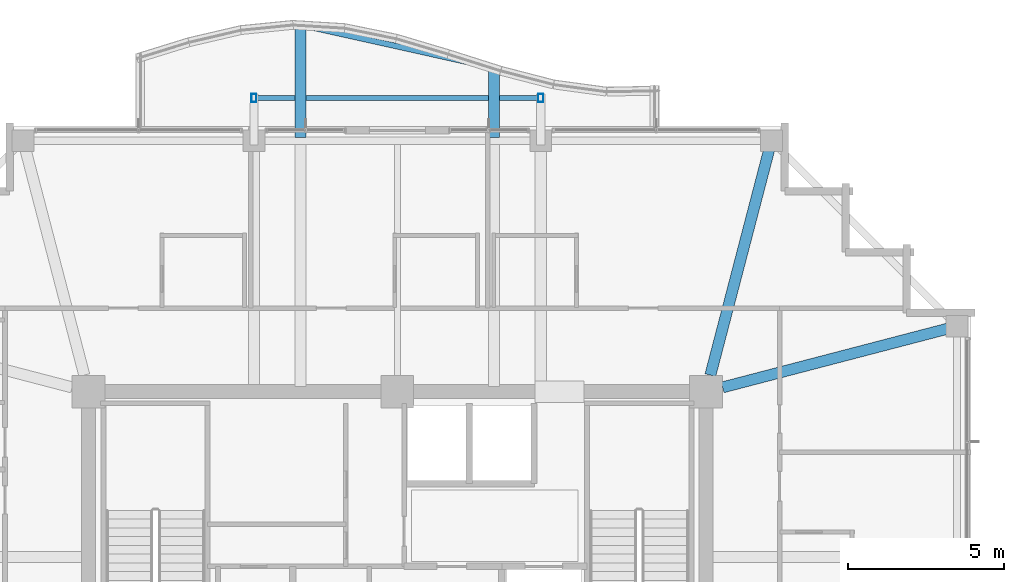
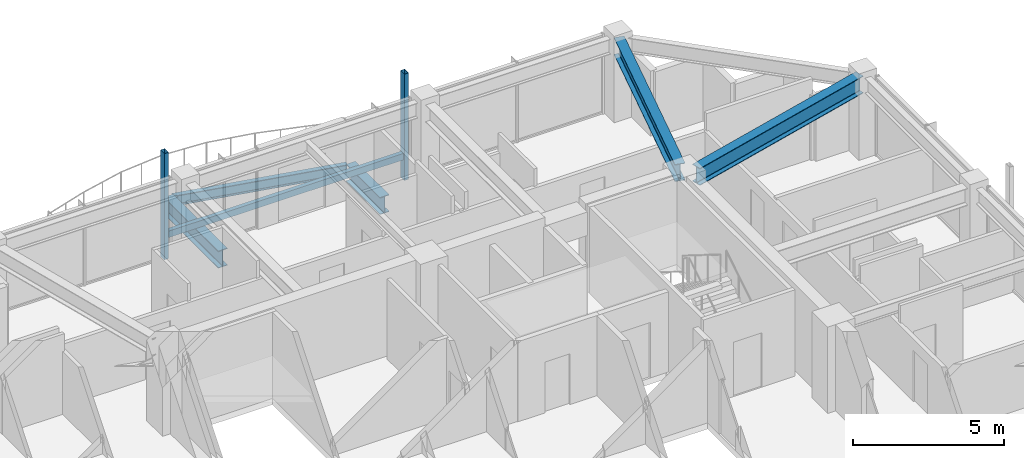
# One storey, part 19 of 34: 5 beams, 3 members.
"""IFC4 building model written with IfcOpenShell, lengths in metres."""

import ifcopenshell
import ifcopenshell.guid

model = None  # the IFC model being written
_history = None  # IfcOwnerHistory: only IFC2X3 demands one
_inside = {}  # id of a spatial element -> (the spatial element, [elements in it])
_under = {}  # id of a project, library or spatial element -> (it, [spatial elements below it])
_declared = {}  # id of a project -> (the project, [libraries it declares])
_typed = {}  # id of a type object -> (the type object, [elements of that type])
_made_of = {}  # id of a material, layer set ... -> (it, [elements and type objects made of it])


def new_model(schema):
    """Start an empty IFC model of exactly this schema.

    Asked for "IFC4X3", IfcOpenShell would pick the latest addendum, in which some entities
    have other attributes; the version numbers below select the first issue.
    IFC2X3 requires an IfcOwnerHistory on every rooted entity: one is made here for all.
    """
    global model, _history
    if schema == "IFC4X3":
        model = ifcopenshell.file(schema_version=(4, 3, 0, 0))
    else:
        model = ifcopenshell.file(schema=schema)
    _inside.clear()
    _under.clear()
    _declared.clear()
    _typed.clear()
    _made_of.clear()
    _history = None
    if model.schema == "IFC2X3":
        org = make("IfcOrganization", Name="unknown")
        user = make(
            "IfcPersonAndOrganization",
            ThePerson=make("IfcPerson", FamilyName="unknown"),
            TheOrganization=org,
        )
        app = make(
            "IfcApplication",
            ApplicationDeveloper=org,
            Version="unknown",
            ApplicationFullName="unknown",
            ApplicationIdentifier="unknown",
        )
        _history = make(
            "IfcOwnerHistory",
            OwningUser=user,
            OwningApplication=app,
            ChangeAction="ADDED",
            CreationDate=0,
        )
    return model


def make(cls, **values):
    """One entity of the class cls with the attributes given. An attribute that is None is left unset."""
    return model.create_entity(
        cls, **{name: value for name, value in values.items() if value is not None}
    )


def rooted(cls, **values):
    """An entity with a GlobalId (a new one), such as an element, a storey or a relation."""
    return make(cls, GlobalId=ifcopenshell.guid.new(), OwnerHistory=_history, **values)


def si_unit(unit_type, name, prefix=None):
    """IfcSIUnit, for example si_unit("LENGTHUNIT", "METRE", prefix="MILLI")."""
    return make("IfcSIUnit", UnitType=unit_type, Prefix=prefix, Name=name)


def assignment(units):
    """IfcUnitAssignment: the units of a project."""
    return None if units is None else make("IfcUnitAssignment", Units=units)


def point(xyz):
    """IfcCartesianPoint."""
    return None if xyz is None else make("IfcCartesianPoint", Coordinates=xyz)


def direction(xyz):
    """IfcDirection."""
    return None if xyz is None else make("IfcDirection", DirectionRatios=xyz)


def frame(location, z_axis=None, x_axis=None):
    """IfcAxis2Placement3D, a coordinate frame: its origin and axes. An axis left out is left unset."""
    return make(
        "IfcAxis2Placement3D",
        Location=point(location),
        Axis=direction(z_axis),
        RefDirection=direction(x_axis),
    )


def frame_2d(location, x_axis=None):
    """IfcAxis2Placement2D, a coordinate frame in the plane: its origin and x axis."""
    return make(
        "IfcAxis2Placement2D", Location=point(location), RefDirection=direction(x_axis)
    )


def origin():
    """The frame at (0, 0, 0) with its axes left unset."""
    return frame((0.0, 0.0, 0.0))


def origin_2d():
    """The frame at (0, 0) in the plane with its x axis left unset."""
    return frame_2d((0.0, 0.0))


def place(relative_to, where):
    """IfcLocalPlacement: puts the frame where relative to a parent placement (None: the world)."""
    return make(
        "IfcLocalPlacement", PlacementRelTo=relative_to, RelativePlacement=where
    )


def context(
    kind, dimensions, precision=None, world=None, true_north=None, identifier=None
):
    """IfcGeometricRepresentationContext, for example the 3D "Model" context."""
    return make(
        "IfcGeometricRepresentationContext",
        ContextIdentifier=identifier,
        ContextType=kind,
        CoordinateSpaceDimension=dimensions,
        Precision=precision,
        WorldCoordinateSystem=world,
        TrueNorth=true_north,
    )


def subcontext(parent, identifier, kind, view, scale=None):
    """IfcGeometricRepresentationSubContext, for example "Body" below "Model"."""
    return make(
        "IfcGeometricRepresentationSubContext",
        ContextIdentifier=identifier,
        ContextType=kind,
        ParentContext=parent,
        TargetScale=scale,
        TargetView=view,
    )


def project(units=None, contexts=None):
    """IfcProject with its units and contexts."""
    return rooted(
        "IfcProject",
        Name="project",
        RepresentationContexts=contexts,
        UnitsInContext=assignment(units),
    )


def spatial(cls, under=None, at=None, **own):
    """A site, building, storey or space (cls), placed at a placement, below another one or the project."""
    s = rooted(cls, ObjectPlacement=at, **own)
    if under is not None:
        _under.setdefault(under.id(), (under, []))[1].append(s)
    return s


def profile(cls, at=None, kind="AREA", **sizes):
    """A parametric profile (cls). Its sizes go by their IFC names, for example OverallWidth=200.0."""
    return make(cls, ProfileType=kind, Position=at, **sizes)


def hollow_rectangle(**sizes):
    """IfcRectangleHollowProfileDef."""
    return profile("IfcRectangleHollowProfileDef", **sizes)


def i_section(**sizes):
    """IfcIShapeProfileDef."""
    return profile("IfcIShapeProfileDef", **sizes)


def extrude(swept, where, along, depth):
    """IfcExtrudedAreaSolid: the profile swept, set in the frame where, extruded along a direction by depth."""
    return make(
        "IfcExtrudedAreaSolid",
        SweptArea=swept,
        Position=where,
        ExtrudedDirection=direction(along),
        Depth=depth,
    )


def shape(context_of_items, identifier, shape_type, items):
    """IfcShapeRepresentation: the items that make up one representation, for example the "Body"."""
    return make(
        "IfcShapeRepresentation",
        ContextOfItems=context_of_items,
        RepresentationIdentifier=identifier,
        RepresentationType=shape_type,
        Items=items,
    )


def material(Name=None, Category=None):
    """IfcMaterial."""
    return make("IfcMaterial", Name=Name, Category=Category)


def material_profile(
    of_material, cross_section, Name=None, Category=None, Priority=None
):
    """IfcMaterialProfile: a cross section and its material."""
    return make(
        "IfcMaterialProfile",
        Name=Name,
        Material=of_material,
        Profile=cross_section,
        Priority=Priority,
        Category=Category,
    )


def profile_set(profiles, Name=None, composite=None):
    """IfcMaterialProfileSet."""
    return make(
        "IfcMaterialProfileSet",
        Name=Name,
        MaterialProfiles=profiles,
        CompositeProfile=composite,
    )


def made_of(thing, what):
    """Note that an element or type object is made of a material, layer set ...; save() writes the relation."""
    if what is not None:
        _made_of.setdefault(what.id(), (what, []))[1].append(thing)
    return thing


def type_object(cls, material=None, **own):
    """A type object (cls), such as IfcWallType, which elements share."""
    return made_of(rooted(cls, **own), material)


def element(
    cls,
    number,
    at=None,
    inside=None,
    cuts=None,
    type_object=None,
    material=None,
    context=None,
    identifier="Body",
    shape_type=None,
    held_by="IfcProductDefinitionShape",
    body=None,
    shapes=None,
    **own,
):
    """One element of the class cls, such as IfcWall. Its Tag is "e" and its number.

    at: its placement. inside: the storey or other place that contains it. cuts: it is an
    opening in that element (IfcRelVoidsElement). A single representation is given by context,
    identifier, shape_type and body (its items); several are given by shapes. held_by: the class
    of the entity that holds the representations. save() writes the other relations.
    """
    e = rooted(cls, Tag="e%d" % number, ObjectPlacement=at, **own)
    if body is not None:
        shapes = [shape(context, identifier, shape_type, body)]
    if shapes is not None:
        e.Representation = make(held_by, Representations=shapes)
    if inside is not None:
        _inside.setdefault(inside.id(), (inside, []))[1].append(e)
    if cuts is not None:
        rooted(
            "IfcRelVoidsElement", RelatingBuildingElement=cuts, RelatedOpeningElement=e
        )
    if type_object is not None:
        _typed.setdefault(type_object.id(), (type_object, []))[1].append(e)
    return made_of(e, material)


def aggregate(whole, parts):
    """IfcRelAggregates: a whole, such as a stair, and the parts it consists of."""
    return rooted("IfcRelAggregates", RelatingObject=whole, RelatedObjects=parts)


def save(model, path):
    """Write the relations noted so far, then the file.

    IfcRelAggregates (storeys below a building ...), IfcRelContainedInSpatialStructure (elements
    in a storey), IfcRelDefinesByType, IfcRelAssociatesMaterial and IfcRelDeclares: one each for
    every whole, place, type object, material and project.
    """
    for whole, parts in _under.values():
        aggregate(whole, parts)
    for where, things in _inside.values():
        rooted(
            "IfcRelContainedInSpatialStructure",
            RelatedElements=things,
            RelatingStructure=where,
        )
    for kind, things in _typed.values():
        rooted("IfcRelDefinesByType", RelatedObjects=things, RelatingType=kind)
    for what, things in _made_of.values():
        rooted("IfcRelAssociatesMaterial", RelatedObjects=things, RelatingMaterial=what)
    for by, libraries in _declared.values():
        rooted("IfcRelDeclares", RelatingContext=by, RelatedDefinitions=libraries)
    model.write(path)


model = new_model("IFC4")

# Units and contexts
model_context = context("Model", 3, precision=1e-05, world=origin(), true_north=direction((0.0, 1.0)))
body_context = subcontext(model_context, "Body", "Model", "MODEL_VIEW")
ifc_project = project(units=[si_unit("LENGTHUNIT", "METRE"), si_unit("AREAUNIT", "SQUARE_METRE"), si_unit("VOLUMEUNIT", "CUBIC_METRE"), si_unit("PLANEANGLEUNIT", "RADIAN"), si_unit("MASSUNIT", "GRAM", prefix="KILO")], contexts=[model_context])

# Site, building, storey
site_placement = place(None, origin())
site = spatial("IfcSite", under=ifc_project, at=site_placement, CompositionType="ELEMENT")
building_placement = place(site_placement, origin())
building = spatial("IfcBuilding", under=site, at=building_placement, Name="Kolvaren Belvedere", CompositionType="ELEMENT")
storey_placement = place(building_placement, frame((0.0, 0.0, 240.89990234375)))
storey = spatial("IfcBuildingStorey", under=building, at=storey_placement, Name="L70", CompositionType="ELEMENT", Elevation=240.89990234375)

# Beams
ifc_material_1 = material(Name="Structural steel ASTM A992 Grade 50", Category="steel")
ifc_material_profile_1 = material_profile(ifc_material_1, i_section(OverallWidth=0.35498046875, OverallDepth=0.696044921875, WebThickness=0.015380859375, FlangeThickness=0.02490234375, FilletRadius=0.02197265625, at=origin_2d()), Name="W27X146")
ifc_profile_set_1 = profile_set([ifc_material_profile_1], Name="Structural steel ASTM A992 Grade 50")
beam_type_1 = type_object("IfcBeamType", Name="BM-CANT-BAL", PredefinedType="BEAM", material=ifc_profile_set_1)
beam_1_placement = place(storey_placement, frame((-3.10009765625, 18.044921875, -0.597900390625), z_axis=(0.0, 1.0, 0.0), x_axis=(-1.0, 0.0, 0.0)))
element("IfcBeam", 1, at=beam_1_placement, inside=storey, type_object=beam_type_1, Name="L70 Planted Balcony Cantilever BAL-N-1", PredefinedType="BEAM", context=body_context, shape_type="SweptSolid", body=[
    extrude(i_section(OverallWidth=0.35498046875, OverallDepth=0.696044921875, WebThickness=0.015380859375, FlangeThickness=0.02490234375, FilletRadius=0.02197265625, at=origin_2d()), origin(), (0.0, 0.0, 1.0), 3.619140625),
])
beam_2_placement = place(storey_placement, frame((3.10009765625, 18.044921875, -0.597900390625), z_axis=(0.0, 1.0, 0.0), x_axis=(-1.0, 0.0, 0.0)))
element("IfcBeam", 2, at=beam_2_placement, inside=storey, type_object=beam_type_1, Name="L70 Planted Balcony Cantilever BAL-N-2", PredefinedType="BEAM", context=body_context, shape_type="SweptSolid", body=[
    extrude(i_section(OverallWidth=0.35498046875, OverallDepth=0.696044921875, WebThickness=0.015380859375, FlangeThickness=0.02490234375, FilletRadius=0.02197265625, at=origin_2d()), origin(), (0.0, 0.0, 1.0), 2.239990234375),
])
ifc_material_2 = material(Name="Structural steel ASTM A992 Grade 50", Category="steel")
ifc_material_profile_2 = material_profile(ifc_material_2, i_section(OverallWidth=0.180908203125, OverallDepth=0.4169921875, WebThickness=0.010986328125, FlangeThickness=0.018310546875, FilletRadius=0.013916015625, at=origin_2d()), Name="W16X57")
ifc_profile_set_2 = profile_set([ifc_material_profile_2], Name="Structural steel ASTM A992 Grade 50")
beam_type_2 = type_object("IfcBeamType", Name="BM-EDGE-W16X57", PredefinedType="BEAM", material=ifc_profile_set_2)
beam_3_placement = place(storey_placement, frame((-2.96337890625, 21.6337890625, -0.45849609375), z_axis=(0.976133101582, -0.217173129084, 0.0), x_axis=(0.217173129084, 0.976133101582, 0.0)))
element("IfcBeam", 3, at=beam_3_placement, inside=storey, type_object=beam_type_2, Name="L70 Balcony Tip Header Beam BAL-N", PredefinedType="BEAM", context=body_context, shape_type="SweptSolid", body=[
    extrude(i_section(OverallWidth=0.180908203125, OverallDepth=0.4169921875, WebThickness=0.010986328125, FlangeThickness=0.018310546875, FilletRadius=0.013916015625, at=origin_2d()), origin(), (0.0, 0.0, 1.0), 6.07177734375),
])
ifc_material_3 = material(Name="Structural steel ASTM A992 Grade 50", Category="steel")
ifc_material_profile_3 = material_profile(ifc_material_3, i_section(OverallWidth=0.35498046875, OverallDepth=0.696044921875, WebThickness=0.015380859375, FlangeThickness=0.02490234375, FilletRadius=0.02197265625, at=origin_2d()), Name="W27X146")
ifc_profile_set_3 = profile_set([ifc_material_profile_3], Name="Structural steel ASTM A992 Grade 50")
beam_type_3 = type_object("IfcBeamType", Name="BM-GIRD-W27X146", PredefinedType="BEAM", material=ifc_profile_set_3)
for number, where, z_axis, x_axis, name in (
    (4, (10.038818359375, 10.43212890625, 2.902099609375), (0.25241668651, 0.967618631679, 0.0), (-0.967618631679, 0.25241668651, 0.0), "L70 Corner Core-to-Perimeter Girder CC3-N4"),
    (5, (10.43212890625, 10.038818359375, 2.902099609375), (0.967618631679, 0.25241668651, 0.0), (-0.25241668651, 0.967618631679, 0.0), "L70 Corner Core-to-Perimeter Girder CC3-E4"),
):
    element("IfcBeam", number, at=place(storey_placement, frame(where, z_axis=z_axis, x_axis=x_axis)), inside=storey, type_object=beam_type_3, Name=name, PredefinedType="BEAM", context=body_context, shape_type="SweptSolid", body=[
        extrude(i_section(OverallWidth=0.35498046875, OverallDepth=0.696044921875, WebThickness=0.015380859375, FlangeThickness=0.02490234375, FilletRadius=0.02197265625, at=origin_2d()), origin(), (0.0, 0.0, 1.0), 7.62939453125),
    ])

# Members
ifc_material_4 = material(Name="Anodised pale-metal aluminium AA 6063-T6", Category="aluminium")
ifc_material_profile_4 = material_profile(ifc_material_4, hollow_rectangle(XDim=0.159912109375, YDim=0.260009765625, WallThickness=0.006591796875, at=origin_2d()), Name="ALU-PF-260X160")
ifc_profile_set_4 = profile_set([ifc_material_profile_4], Name="Anodised pale-metal aluminium AA 6063-T6")
member_type = type_object("IfcMemberType", Name="PF-FRAME-260", PredefinedType="USERDEFINED", material=ifc_profile_set_4)
for number, where, z_axis, x_axis, name in (
    (6, (-4.60009765625, 19.320068359375, -0.809814453125), (0.0, 0.0, 1.0), (1.0, 0.0, 0.0), "L70 Outboard Picture-Frame Vertical N1"),
    (7, (4.60009765625, 19.320068359375, -0.809814453125), (0.0, 0.0, 1.0), (1.0, 0.0, 0.0), "L70 Outboard Picture-Frame Vertical N2"),
):
    element("IfcMember", number, at=place(storey_placement, frame(where, z_axis=z_axis, x_axis=x_axis)), inside=storey, type_object=member_type, Name=name, ObjectType="PICTURE FRAME FIN", PredefinedType="USERDEFINED", context=body_context, shape_type="SweptSolid", body=[
        extrude(hollow_rectangle(XDim=0.159912109375, YDim=0.260009765625, WallThickness=0.006591796875, at=origin_2d()), origin(), (0.0, 0.0, 1.0), 4.309814453125),
    ])
member_placement = place(storey_placement, frame((-4.60009765625, 19.320068359375, 0.130126953125), z_axis=(1.0, 0.0, 0.0), x_axis=(0.0, 1.0, 0.0)))
element("IfcMember", 8, at=member_placement, inside=storey, type_object=member_type, Name="L70 Outboard Picture-Frame Sill N", ObjectType="PICTURE FRAME FIN", PredefinedType="USERDEFINED", context=body_context, shape_type="SweptSolid", body=[
    extrude(hollow_rectangle(XDim=0.159912109375, YDim=0.260009765625, WallThickness=0.006591796875, at=origin_2d()), origin(), (0.0, 0.0, 1.0), 9.2001953125),
])

save(model, "model.ifc")
